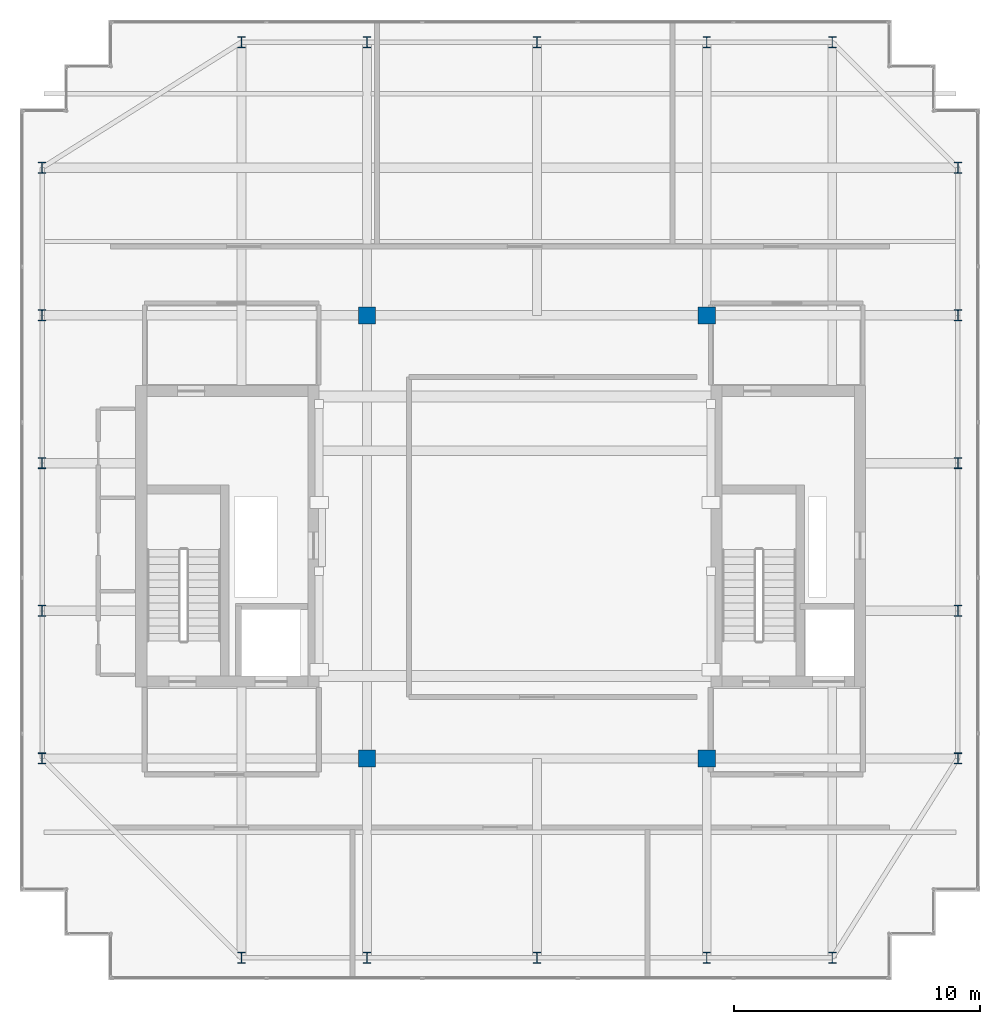
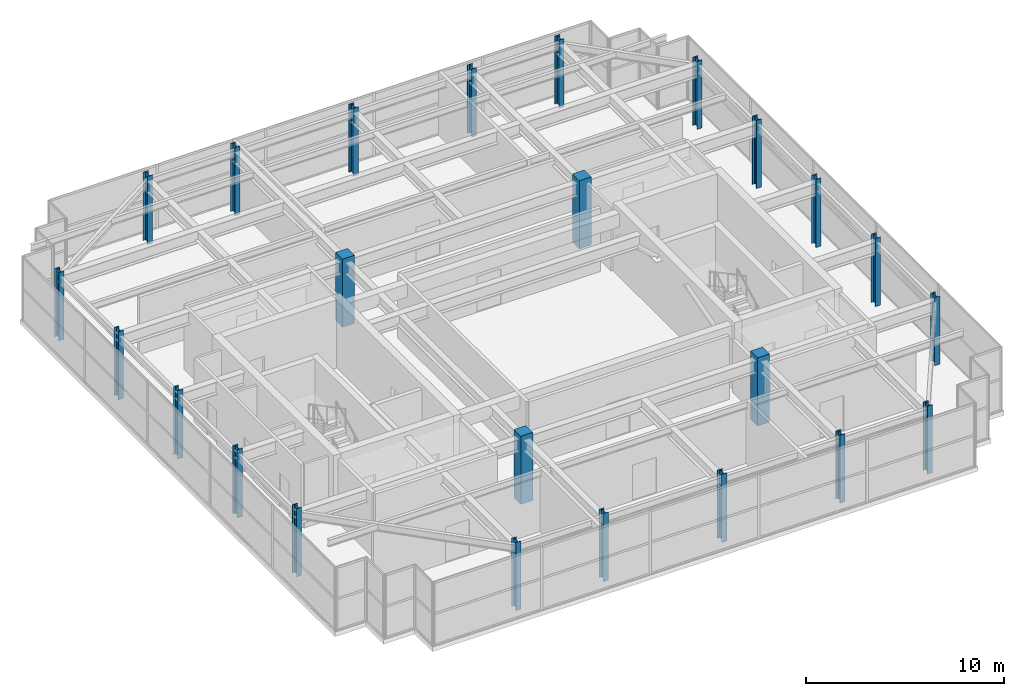
# One storey, part 1 of 32: 24 columns.
"""IFC4 building model written with IfcOpenShell, lengths in metres."""

from ifc_helpers import new_model, si_unit, direction, frame, origin, origin_2d, place, context, subcontext, project, spatial, rectangle, i_section, extrude, source, transform, mapped, material, material_profile, profile_set, type_object, element, save


model = new_model("IFC4")

# Units and contexts
model_context = context("Model", 3, precision=1e-05, world=origin(), true_north=direction((0.0, 1.0)))
body_context = subcontext(model_context, "Body", "Model", "MODEL_VIEW")
ifc_project = project(units=[si_unit("LENGTHUNIT", "METRE"), si_unit("AREAUNIT", "SQUARE_METRE"), si_unit("VOLUMEUNIT", "CUBIC_METRE"), si_unit("PLANEANGLEUNIT", "RADIAN"), si_unit("MASSUNIT", "GRAM", prefix="KILO")], contexts=[model_context])

# Site, building, storey
site_placement = place(None, origin())
site = spatial("IfcSite", under=ifc_project, at=site_placement, CompositionType="ELEMENT")
building_placement = place(site_placement, origin())
building = spatial("IfcBuilding", under=site, at=building_placement, Name="Khoralis Quay Care Tower", CompositionType="ELEMENT")
storey_placement = place(building_placement, frame((0.0, 0.0, 297.89990234375)))
storey = spatial("IfcBuildingStorey", under=building, at=storey_placement, Name="L78", CompositionType="ELEMENT", Elevation=297.89990234375)

# Columns
ifc_material_1 = material(Name="Steel S355", Category="steel")
ifc_material_profile_1 = material_profile(ifc_material_1, i_section(OverallWidth=0.300048828125, OverallDepth=0.449951171875, WebThickness=0.013916015625, FlangeThickness=0.02587890625, FilletRadius=0.027099609375, at=origin_2d()), Name="Steel S355")
ifc_profile_set_1 = profile_set([ifc_material_profile_1], Name="Steel S355")
column_type_1 = type_object("IfcColumnType", Name="COL-LN-HEB450", PredefinedType="COLUMN", material=ifc_profile_set_1)
shared_shape_1 = source(origin(), body_context, "Body", "SweptSolid", [
    extrude(i_section(OverallWidth=0.300048828125, OverallDepth=0.449951171875, WebThickness=0.013916015625, FlangeThickness=0.02587890625, FilletRadius=0.027099609375, at=origin_2d()), origin(), (0.0, 0.0, 1.0), 4.2001953125),
])
for number, where, z_axis, x_axis, name in (
    (1, (12.0, 3.89990234375, 0.0), (0.0, 0.0, 1.0), (1.0, 0.0, 0.0), "COL-TWR-L78-01"),
    (2, (12.0, 41.10009765625, 0.0), (0.0, 0.0, 1.0), (1.0, 0.0, 0.0), "COL-TWR-L78-02"),
    (3, (17.10009765625, 3.89990234375, 0.0), (0.0, 0.0, 1.0), (1.0, 0.0, 0.0), "COL-TWR-L78-03"),
    (4, (17.10009765625, 41.10009765625, 0.0), (0.0, 0.0, 1.0), (1.0, 0.0, 0.0), "COL-TWR-L78-04"),
    (5, (24.0, 3.89990234375, 0.0), (0.0, 0.0, 1.0), (1.0, 0.0, 0.0), "COL-TWR-L78-05"),
    (6, (24.0, 41.10009765625, 0.0), (0.0, 0.0, 1.0), (1.0, 0.0, 0.0), "COL-TWR-L78-06"),
    (7, (30.89990234375, 3.89990234375, 0.0), (0.0, 0.0, 1.0), (1.0, 0.0, 0.0), "COL-TWR-L78-07"),
    (8, (30.89990234375, 41.10009765625, 0.0), (0.0, 0.0, 1.0), (1.0, 0.0, 0.0), "COL-TWR-L78-08"),
    (9, (36.0, 3.89990234375, 0.0), (0.0, 0.0, 1.0), (1.0, 0.0, 0.0), "COL-TWR-L78-09"),
    (10, (36.0, 41.10009765625, 0.0), (0.0, 0.0, 1.0), (1.0, 0.0, 0.0), "COL-TWR-L78-10"),
    (11, (3.89990234375, 12.0, 0.0), (0.0, 0.0, 1.0), (1.0, 0.0, 0.0), "COL-TWR-L78-11"),
    (12, (41.10009765625, 12.0, 0.0), (0.0, 0.0, 1.0), (1.0, 0.0, 0.0), "COL-TWR-L78-12"),
    (13, (3.89990234375, 18.0, 0.0), (0.0, 0.0, 1.0), (1.0, 0.0, 0.0), "COL-TWR-L78-13"),
    (14, (41.10009765625, 18.0, 0.0), (0.0, 0.0, 1.0), (1.0, 0.0, 0.0), "COL-TWR-L78-14"),
    (15, (3.89990234375, 24.0, 0.0), (0.0, 0.0, 1.0), (1.0, 0.0, 0.0), "COL-TWR-L78-15"),
    (16, (41.10009765625, 24.0, 0.0), (0.0, 0.0, 1.0), (1.0, 0.0, 0.0), "COL-TWR-L78-16"),
    (17, (3.89990234375, 30.0, 0.0), (0.0, 0.0, 1.0), (1.0, 0.0, 0.0), "COL-TWR-L78-17"),
    (18, (41.10009765625, 30.0, 0.0), (0.0, 0.0, 1.0), (1.0, 0.0, 0.0), "COL-TWR-L78-18"),
    (19, (3.89990234375, 36.0, 0.0), (0.0, 0.0, 1.0), (1.0, 0.0, 0.0), "COL-TWR-L78-19"),
    (20, (41.10009765625, 36.0, 0.0), (0.0, 0.0, 1.0), (1.0, 0.0, 0.0), "COL-TWR-L78-20"),
):
    element("IfcColumn", number, at=place(storey_placement, frame(where, z_axis=z_axis, x_axis=x_axis)), inside=storey, type_object=column_type_1, Name=name, PredefinedType="COLUMN", context=body_context, shape_type="MappedRepresentation", body=[
        mapped(shared_shape_1, transform((0.0, 0.0, 0.0), scale=1.0)),
    ])
ifc_material_2 = material(Name="Concrete C50/60", Category="concrete")
ifc_material_profile_2 = material_profile(ifc_material_2, rectangle(XDim=0.699951171875, YDim=0.699951171875, at=origin_2d()), Name="Concrete C50/60")
ifc_profile_set_2 = profile_set([ifc_material_profile_2], Name="Concrete C50/60")
column_type_2 = type_object("IfcColumnType", Name="COL-C700", PredefinedType="COLUMN", material=ifc_profile_set_2)
shared_shape_2 = source(origin(), body_context, "Body", "SweptSolid", [
    extrude(rectangle(XDim=0.699951171875, YDim=0.699951171875, at=origin_2d()), origin(), (0.0, 0.0, 1.0), 4.2001953125),
])
for number, where, z_axis, x_axis, name in (
    (21, (17.10009765625, 12.0, 0.0), (0.0, 0.0, 1.0), (1.0, 0.0, 0.0), "COL-TWR-L78-21"),
    (22, (17.10009765625, 30.0, 0.0), (0.0, 0.0, 1.0), (1.0, 0.0, 0.0), "COL-TWR-L78-22"),
    (23, (30.89990234375, 12.0, 0.0), (0.0, 0.0, 1.0), (1.0, 0.0, 0.0), "COL-TWR-L78-23"),
    (24, (30.89990234375, 30.0, 0.0), (0.0, 0.0, 1.0), (1.0, 0.0, 0.0), "COL-TWR-L78-24"),
):
    element("IfcColumn", number, at=place(storey_placement, frame(where, z_axis=z_axis, x_axis=x_axis)), inside=storey, type_object=column_type_2, Name=name, PredefinedType="COLUMN", context=body_context, shape_type="MappedRepresentation", body=[
        mapped(shared_shape_2, transform((0.0, 0.0, 0.0), scale=1.0)),
    ])

save(model, "model.ifc")
